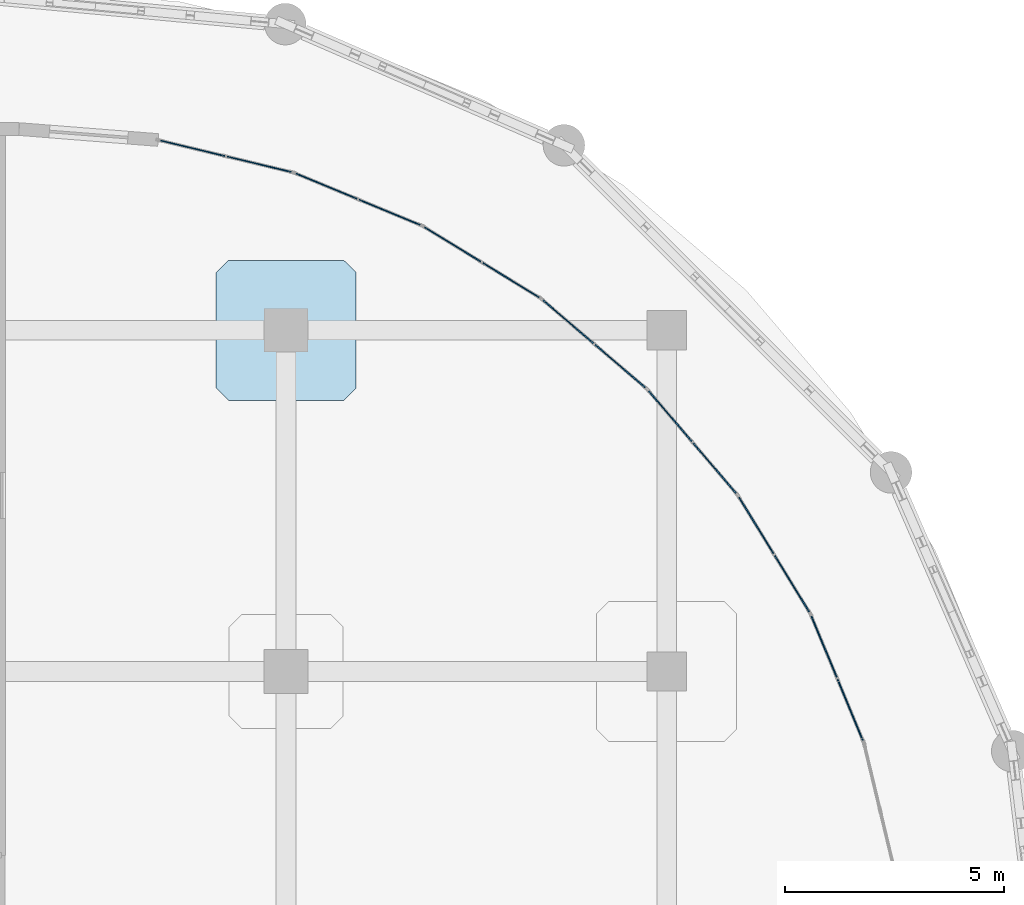
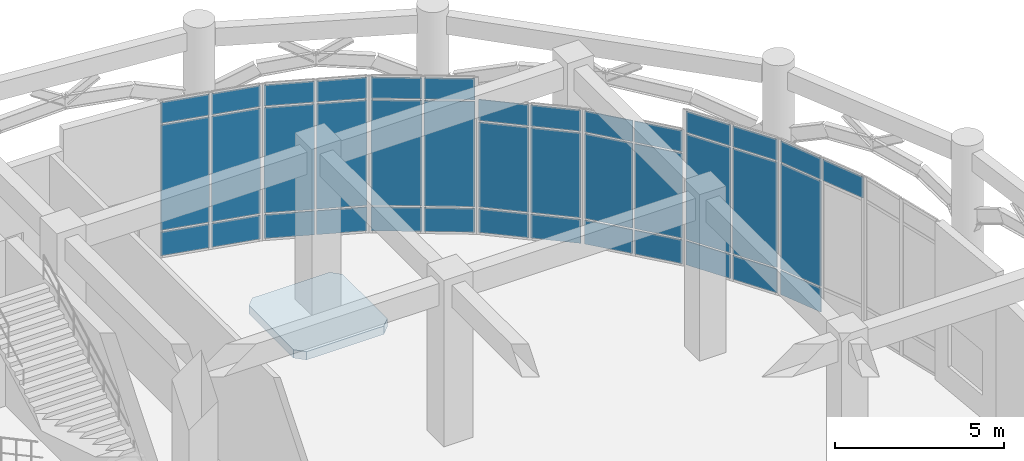
# One storey, part 59 of 82: 40 plates, 1 slab, 7 elements without a shape of their own.
"""IFC4 building model written with IfcOpenShell, lengths in metres."""

from ifc_helpers import new_model, si_unit, derived_unit, direction, frame, origin, origin_2d, place, context, subcontext, project, spatial, polyline, rectangle, outline, extrude, material, layer, layer_set, type_object, element, aggregate, save


model = new_model("IFC4")

# Units and contexts
model_context = context("Model", 3, precision=1e-05, world=origin(), true_north=direction((0.0, 1.0)))
body_context = subcontext(model_context, "Body", "Model", "MODEL_VIEW")
ifc_project = project(units=[si_unit("LENGTHUNIT", "METRE"), si_unit("AREAUNIT", "SQUARE_METRE"), si_unit("VOLUMEUNIT", "CUBIC_METRE"), si_unit("PLANEANGLEUNIT", "RADIAN"), si_unit("MASSUNIT", "GRAM", prefix="KILO"), derived_unit("THERMALTRANSMITTANCEUNIT", [(si_unit("MASSUNIT", "GRAM", prefix="KILO"), 1), (si_unit("TIMEUNIT", "SECOND"), -3), (si_unit("THERMODYNAMICTEMPERATUREUNIT", "KELVIN"), -1)])], contexts=[model_context])

# Site, building, storey
site_placement = place(None, origin())
site = spatial("IfcSite", under=ifc_project, at=site_placement, CompositionType="ELEMENT")
building_placement = place(site_placement, origin())
building = spatial("IfcBuilding", under=site, at=building_placement, Name="Qinzheling Arcade Emporium", CompositionType="ELEMENT")
storey_placement = place(building_placement, origin())
storey = spatial("IfcBuildingStorey", under=building, at=storey_placement, Name="L01", CompositionType="ELEMENT", Elevation=0.0)

# Slab
ifc_material_1 = material(Name="Concrete C40", Category="concrete")
ifc_layer_1 = layer(ifc_material_1, 0.300048828125, Name="Concrete C40", Category="concrete")
ifc_layer_set_1 = layer_set([ifc_layer_1], Name="Concrete C40")
slab_type = type_object("IfcSlabType", Name="Column Head Drop Panel 3200x3200x300 C40", PredefinedType="USERDEFINED", material=ifc_layer_set_1)
slab_placement = place(storey_placement, frame((0.0, 0.0, -0.639892578125)))
element("IfcSlab", 1, at=slab_placement, inside=storey, type_object=slab_type, Name="Column Drop Panel DP-L01-16-N", ObjectType="DROP_PANEL", PredefinedType="USERDEFINED", context=body_context, shape_type="SweptSolid", body=[
    extrude(outline(polyline([(129.179931640625, 105.199951171875), (131.820068359375, 105.199951171875), (132.10009765625, 105.47998046875), (132.10009765625, 108.1201171875), (131.820068359375, 108.39990234375), (129.179931640625, 108.39990234375), (128.89990234375, 108.1201171875), (128.89990234375, 105.47998046875), (129.179931640625, 105.199951171875)])), origin(), (0.0, 0.0, 1.0), 0.2998046875),
])

# Curtain wall, plates
ifc_material_2 = material(Name="Anodised aluminium and solar-control double glazing", Category="aluminium")
ifc_layer_2 = layer(ifc_material_2, 0.159912109375, Name="Anodised aluminium and solar-control double glazing", Category="aluminium")
ifc_layer_set_2 = layer_set([ifc_layer_2], Name="Anodised aluminium and solar-control double glazing")
curtain_wall_type = type_object("IfcCurtainWallType", Name="Curved Ribbon Sales Curtain Wall", PredefinedType="NOTDEFINED", material=ifc_layer_set_2)
curtain_wall_1_placement = place(storey_placement, origin())
curtain_wall_1 = element("IfcCurtainWall", 2, at=curtain_wall_1_placement, inside=storey, type_object=curtain_wall_type, Name="Curtain Wall CW-L01-035", PredefinedType="NOTDEFINED")
ifc_material_3 = material(Name="Laminated solar-control double glazing", Category="glass")
ifc_layer_3 = layer(ifc_material_3, 0.02490234375, Name="Laminated solar-control double glazing", Category="glass")
ifc_layer_set_3 = layer_set([ifc_layer_3], Name="Laminated solar-control double glazing")
plate_type_1 = type_object("IfcPlateType", Name="Low-E Double Glazed Curtain Panel 25mm", PredefinedType="CURTAIN_PANEL", material=ifc_layer_set_3)
plate_1_placement = place(storey_placement, frame((128.36474609375, 110.96044921875, 0.06005859375), z_axis=(0.0, 0.0, 1.0), x_axis=(0.972335980843, -0.233586687032, 0.0)))
plate_1 = element("IfcPlate", 3, at=plate_1_placement, type_object=plate_type_1, Name="CW02 panel 1.1", PredefinedType="CURTAIN_PANEL", context=body_context, shape_type="SweptSolid", body=[
    extrude(rectangle(XDim=1.50244140625, YDim=0.02490234375, at=origin_2d()), origin(), (0.0, 0.0, 1.0), 0.860107421875),
])
plate_2_placement = place(storey_placement, frame((128.36474609375, 110.96044921875, 0.97998046875), z_axis=(0.0, 0.0, 1.0), x_axis=(0.972335980843, -0.233586687032, 0.0)))
plate_2 = element("IfcPlate", 4, at=plate_2_placement, type_object=plate_type_1, Name="CW02 panel 1.2", PredefinedType="CURTAIN_PANEL", context=body_context, shape_type="SweptSolid", body=[
    extrude(rectangle(XDim=1.50244140625, YDim=0.02490234375, at=origin_2d()), origin(), (0.0, 0.0, 1.0), 3.800048828125),
])
plate_3_placement = place(storey_placement, frame((128.36474609375, 110.96044921875, 4.83984375), z_axis=(0.0, 0.0, 1.0), x_axis=(0.972335980843, -0.233586687032, 0.0)))
plate_3 = element("IfcPlate", 5, at=plate_3_placement, type_object=plate_type_1, Name="CW02 panel 1.3", PredefinedType="CURTAIN_PANEL", context=body_context, shape_type="SweptSolid", body=[
    extrude(rectangle(XDim=1.50244140625, YDim=0.02490234375, at=origin_2d()), origin(), (0.0, 0.0, 1.0), 0.760009765625),
])
plate_4_placement = place(storey_placement, frame((129.88427734375, 110.595458984375, 0.06005859375), z_axis=(0.0, 0.0, 1.0), x_axis=(0.972335980843, -0.233586687032, 0.0)))
plate_4 = element("IfcPlate", 6, at=plate_4_placement, type_object=plate_type_1, Name="CW02 panel 2.1", PredefinedType="CURTAIN_PANEL", context=body_context, shape_type="SweptSolid", body=[
    extrude(rectangle(XDim=1.50244140625, YDim=0.02490234375, at=origin_2d()), origin(), (0.0, 0.0, 1.0), 0.860107421875),
])
plate_5_placement = place(storey_placement, frame((129.88427734375, 110.595458984375, 0.97998046875), z_axis=(0.0, 0.0, 1.0), x_axis=(0.972335980843, -0.233586687032, 0.0)))
plate_5 = element("IfcPlate", 7, at=plate_5_placement, type_object=plate_type_1, Name="CW02 panel 2.2", PredefinedType="CURTAIN_PANEL", context=body_context, shape_type="SweptSolid", body=[
    extrude(rectangle(XDim=1.50244140625, YDim=0.02490234375, at=origin_2d()), origin(), (0.0, 0.0, 1.0), 3.800048828125),
])
plate_6_placement = place(storey_placement, frame((129.88427734375, 110.595458984375, 4.83984375), z_axis=(0.0, 0.0, 1.0), x_axis=(0.972335980843, -0.233586687032, 0.0)))
plate_6 = element("IfcPlate", 8, at=plate_6_placement, type_object=plate_type_1, Name="CW02 panel 2.3", PredefinedType="CURTAIN_PANEL", context=body_context, shape_type="SweptSolid", body=[
    extrude(rectangle(XDim=1.50244140625, YDim=0.02490234375, at=origin_2d()), origin(), (0.0, 0.0, 1.0), 0.760009765625),
])
aggregate(curtain_wall_1, [plate_1, plate_2, plate_3, plate_4, plate_5, plate_6])

curtain_wall_2_placement = place(storey_placement, origin())
curtain_wall_2 = element("IfcCurtainWall", 9, at=curtain_wall_2_placement, inside=storey, type_object=curtain_wall_type, Name="Curtain Wall CW-L01-036", PredefinedType="NOTDEFINED")
ifc_layer_4 = layer(ifc_material_3, 0.02587890625, Name="Laminated solar-control double glazing", Category="glass")
ifc_layer_set_4 = layer_set([ifc_layer_4], Name="Laminated solar-control double glazing")
plate_type_2 = type_object("IfcPlateType", Name="Low-E Double Glazed Curtain Panel 26mm", PredefinedType="CURTAIN_PANEL", material=ifc_layer_set_4)
plate_7_placement = place(storey_placement, frame((131.422607421875, 110.095458984375, 0.06005859375), z_axis=(0.0, 0.0, 1.0), x_axis=(0.923882919212, -0.382675256043, 0.0)))
plate_7 = element("IfcPlate", 10, at=plate_7_placement, type_object=plate_type_2, Name="CW02 panel 1.1", PredefinedType="CURTAIN_PANEL", context=body_context, shape_type="SweptSolid", body=[
    extrude(rectangle(XDim=1.502685546875, YDim=0.02587890625, at=origin_2d()), origin(), (0.0, 0.0, 1.0), 0.860107421875),
])
plate_8_placement = place(storey_placement, frame((131.422607421875, 110.095458984375, 0.97998046875), z_axis=(0.0, 0.0, 1.0), x_axis=(0.923882919212, -0.382675256043, 0.0)))
plate_8 = element("IfcPlate", 11, at=plate_8_placement, type_object=plate_type_2, Name="CW02 panel 1.2", PredefinedType="CURTAIN_PANEL", context=body_context, shape_type="SweptSolid", body=[
    extrude(rectangle(XDim=1.502685546875, YDim=0.02587890625, at=origin_2d()), origin(), (0.0, 0.0, 1.0), 3.800048828125),
])
plate_9_placement = place(storey_placement, frame((131.422607421875, 110.095458984375, 4.83984375), z_axis=(0.0, 0.0, 1.0), x_axis=(0.923882919212, -0.382675256043, 0.0)))
plate_9 = element("IfcPlate", 12, at=plate_9_placement, type_object=plate_type_2, Name="CW02 panel 1.3", PredefinedType="CURTAIN_PANEL", context=body_context, shape_type="SweptSolid", body=[
    extrude(rectangle(XDim=1.502685546875, YDim=0.02587890625, at=origin_2d()), origin(), (0.0, 0.0, 1.0), 0.760009765625),
])
plate_10_placement = place(storey_placement, frame((132.866455078125, 109.49755859375, 0.06005859375), z_axis=(0.0, 0.0, 1.0), x_axis=(0.923882919212, -0.382675256043, 0.0)))
plate_10 = element("IfcPlate", 13, at=plate_10_placement, type_object=plate_type_2, Name="CW02 panel 2.1", PredefinedType="CURTAIN_PANEL", context=body_context, shape_type="SweptSolid", body=[
    extrude(rectangle(XDim=1.502685546875, YDim=0.02587890625, at=origin_2d()), origin(), (0.0, 0.0, 1.0), 0.860107421875),
])
plate_11_placement = place(storey_placement, frame((132.866455078125, 109.49755859375, 0.97998046875), z_axis=(0.0, 0.0, 1.0), x_axis=(0.923882919212, -0.382675256043, 0.0)))
plate_11 = element("IfcPlate", 14, at=plate_11_placement, type_object=plate_type_2, Name="CW02 panel 2.2", PredefinedType="CURTAIN_PANEL", context=body_context, shape_type="SweptSolid", body=[
    extrude(rectangle(XDim=1.502685546875, YDim=0.02587890625, at=origin_2d()), origin(), (0.0, 0.0, 1.0), 3.800048828125),
])
plate_12_placement = place(storey_placement, frame((132.866455078125, 109.49755859375, 4.83984375), z_axis=(0.0, 0.0, 1.0), x_axis=(0.923882919212, -0.382675256043, 0.0)))
plate_12 = element("IfcPlate", 15, at=plate_12_placement, type_object=plate_type_2, Name="CW02 panel 2.3", PredefinedType="CURTAIN_PANEL", context=body_context, shape_type="SweptSolid", body=[
    extrude(rectangle(XDim=1.502685546875, YDim=0.02587890625, at=origin_2d()), origin(), (0.0, 0.0, 1.0), 0.760009765625),
])
aggregate(curtain_wall_2, [plate_7, plate_8, plate_9, plate_10, plate_11, plate_12])

curtain_wall_3_placement = place(storey_placement, origin())
curtain_wall_3 = element("IfcCurtainWall", 16, at=curtain_wall_3_placement, inside=storey, type_object=curtain_wall_type, Name="Curtain Wall CW-L01-037", PredefinedType="NOTDEFINED")
ifc_layer_5 = layer(ifc_material_3, 0.027099609375, Name="Laminated solar-control double glazing", Category="glass")
ifc_layer_set_5 = layer_set([ifc_layer_5], Name="Laminated solar-control double glazing")
plate_type_3 = type_object("IfcPlateType", Name="Low-E Double Glazed Curtain Panel 27mm", PredefinedType="CURTAIN_PANEL", material=ifc_layer_set_5)
plate_13_placement = place(storey_placement, frame((134.307861328125, 108.76318359375, 0.06005859375), z_axis=(0.0, 0.0, 1.0), x_axis=(0.852691482854, -0.522414811302, 0.0)))
plate_13 = element("IfcPlate", 17, at=plate_13_placement, type_object=plate_type_3, Name="CW02 panel 1.1", PredefinedType="CURTAIN_PANEL", context=body_context, shape_type="SweptSolid", body=[
    extrude(rectangle(XDim=1.502685546875, YDim=0.027099609375, at=origin_2d()), origin(), (0.0, 0.0, 1.0), 0.860107421875),
])
plate_14_placement = place(storey_placement, frame((134.307861328125, 108.76318359375, 0.97998046875), z_axis=(0.0, 0.0, 1.0), x_axis=(0.852691482854, -0.522414811302, 0.0)))
plate_14 = element("IfcPlate", 18, at=plate_14_placement, type_object=plate_type_3, Name="CW02 panel 1.2", PredefinedType="CURTAIN_PANEL", context=body_context, shape_type="SweptSolid", body=[
    extrude(rectangle(XDim=1.502685546875, YDim=0.027099609375, at=origin_2d()), origin(), (0.0, 0.0, 1.0), 3.800048828125),
])
plate_15_placement = place(storey_placement, frame((134.307861328125, 108.76318359375, 4.83984375), z_axis=(0.0, 0.0, 1.0), x_axis=(0.852691482854, -0.522414811302, 0.0)))
plate_15 = element("IfcPlate", 19, at=plate_15_placement, type_object=plate_type_3, Name="CW02 panel 1.3", PredefinedType="CURTAIN_PANEL", context=body_context, shape_type="SweptSolid", body=[
    extrude(rectangle(XDim=1.502685546875, YDim=0.027099609375, at=origin_2d()), origin(), (0.0, 0.0, 1.0), 0.760009765625),
])
plate_16_placement = place(storey_placement, frame((135.64013671875, 107.94677734375, 0.06005859375), z_axis=(0.0, 0.0, 1.0), x_axis=(0.852691482854, -0.522414811302, 0.0)))
plate_16 = element("IfcPlate", 20, at=plate_16_placement, type_object=plate_type_3, Name="CW02 panel 2.1", PredefinedType="CURTAIN_PANEL", context=body_context, shape_type="SweptSolid", body=[
    extrude(rectangle(XDim=1.502685546875, YDim=0.027099609375, at=origin_2d()), origin(), (0.0, 0.0, 1.0), 0.860107421875),
])
plate_17_placement = place(storey_placement, frame((135.64013671875, 107.94677734375, 0.97998046875), z_axis=(0.0, 0.0, 1.0), x_axis=(0.852691482854, -0.522414811302, 0.0)))
plate_17 = element("IfcPlate", 21, at=plate_17_placement, type_object=plate_type_3, Name="CW02 panel 2.2", PredefinedType="CURTAIN_PANEL", context=body_context, shape_type="SweptSolid", body=[
    extrude(rectangle(XDim=1.502685546875, YDim=0.027099609375, at=origin_2d()), origin(), (0.0, 0.0, 1.0), 3.800048828125),
])
plate_18_placement = place(storey_placement, frame((135.64013671875, 107.94677734375, 4.83984375), z_axis=(0.0, 0.0, 1.0), x_axis=(0.852691482854, -0.522414811302, 0.0)))
plate_18 = element("IfcPlate", 22, at=plate_18_placement, type_object=plate_type_3, Name="CW02 panel 2.3", PredefinedType="CURTAIN_PANEL", context=body_context, shape_type="SweptSolid", body=[
    extrude(rectangle(XDim=1.502685546875, YDim=0.027099609375, at=origin_2d()), origin(), (0.0, 0.0, 1.0), 0.760009765625),
])
aggregate(curtain_wall_3, [plate_13, plate_14, plate_15, plate_16, plate_17, plate_18])

curtain_wall_4_placement = place(storey_placement, origin())
curtain_wall_4 = element("IfcCurtainWall", 23, at=curtain_wall_4_placement, inside=storey, type_object=curtain_wall_type, Name="Curtain Wall CW-L01-038", PredefinedType="NOTDEFINED")
ifc_layer_6 = layer(ifc_material_3, 0.028076171875, Name="Laminated solar-control double glazing", Category="glass")
ifc_layer_set_6 = layer_set([ifc_layer_6], Name="Laminated solar-control double glazing")
plate_type_4 = type_object("IfcPlateType", Name="Low-E Double Glazed Curtain Panel 28mm", PredefinedType="CURTAIN_PANEL", material=ifc_layer_set_6)
plate_19_placement = place(storey_placement, frame((136.948974609375, 106.99609375, 0.06005859375), z_axis=(0.0, 0.0, 1.0), x_axis=(0.76034137818, -0.64952366287, 0.0)))
plate_19 = element("IfcPlate", 24, at=plate_19_placement, type_object=plate_type_4, Name="CW02 panel 1.1", PredefinedType="CURTAIN_PANEL", context=body_context, shape_type="SweptSolid", body=[
    extrude(rectangle(XDim=1.502685546875, YDim=0.028076171875, at=origin_2d()), origin(), (0.0, 0.0, 1.0), 0.860107421875),
])
plate_20_placement = place(storey_placement, frame((136.948974609375, 106.99609375, 0.97998046875), z_axis=(0.0, 0.0, 1.0), x_axis=(0.76034137818, -0.64952366287, 0.0)))
plate_20 = element("IfcPlate", 25, at=plate_20_placement, type_object=plate_type_4, Name="CW02 panel 1.2", PredefinedType="CURTAIN_PANEL", context=body_context, shape_type="SweptSolid", body=[
    extrude(rectangle(XDim=1.502685546875, YDim=0.028076171875, at=origin_2d()), origin(), (0.0, 0.0, 1.0), 3.06005859375),
])
plate_21_placement = place(storey_placement, frame((136.948974609375, 106.99609375, 4.10009765625), z_axis=(0.0, 0.0, 1.0), x_axis=(0.76034137818, -0.64952366287, 0.0)))
plate_21 = element("IfcPlate", 26, at=plate_21_placement, type_object=plate_type_4, Name="CW02 panel 1.3", PredefinedType="CURTAIN_PANEL", context=body_context, shape_type="SweptSolid", body=[
    extrude(rectangle(XDim=1.502685546875, YDim=0.028076171875, at=origin_2d()), origin(), (0.0, 0.0, 1.0), 0.760009765625),
])
plate_22_placement = place(storey_placement, frame((138.13720703125, 105.98095703125, 0.06005859375), z_axis=(0.0, 0.0, 1.0), x_axis=(0.76034137818, -0.64952366287, 0.0)))
plate_22 = element("IfcPlate", 27, at=plate_22_placement, type_object=plate_type_4, Name="CW02 panel 2.1", PredefinedType="CURTAIN_PANEL", context=body_context, shape_type="SweptSolid", body=[
    extrude(rectangle(XDim=1.502685546875, YDim=0.028076171875, at=origin_2d()), origin(), (0.0, 0.0, 1.0), 0.860107421875),
])
plate_23_placement = place(storey_placement, frame((138.13720703125, 105.98095703125, 0.97998046875), z_axis=(0.0, 0.0, 1.0), x_axis=(0.76034137818, -0.64952366287, 0.0)))
plate_23 = element("IfcPlate", 28, at=plate_23_placement, type_object=plate_type_4, Name="CW02 panel 2.2", PredefinedType="CURTAIN_PANEL", context=body_context, shape_type="SweptSolid", body=[
    extrude(rectangle(XDim=1.502685546875, YDim=0.028076171875, at=origin_2d()), origin(), (0.0, 0.0, 1.0), 3.06005859375),
])
plate_24_placement = place(storey_placement, frame((138.13720703125, 105.98095703125, 4.10009765625), z_axis=(0.0, 0.0, 1.0), x_axis=(0.76034137818, -0.64952366287, 0.0)))
plate_24 = element("IfcPlate", 29, at=plate_24_placement, type_object=plate_type_4, Name="CW02 panel 2.3", PredefinedType="CURTAIN_PANEL", context=body_context, shape_type="SweptSolid", body=[
    extrude(rectangle(XDim=1.502685546875, YDim=0.028076171875, at=origin_2d()), origin(), (0.0, 0.0, 1.0), 0.760009765625),
])
aggregate(curtain_wall_4, [plate_19, plate_20, plate_21, plate_22, plate_23, plate_24])

curtain_wall_5_placement = place(storey_placement, origin())
curtain_wall_5 = element("IfcCurtainWall", 30, at=curtain_wall_5_placement, inside=storey, type_object=curtain_wall_type, Name="Curtain Wall CW-L01-039", PredefinedType="NOTDEFINED")
ifc_layer_7 = layer(ifc_material_3, 0.029052734375, Name="Laminated solar-control double glazing", Category="glass")
ifc_layer_set_7 = layer_set([ifc_layer_7], Name="Laminated solar-control double glazing")
plate_type_5 = type_object("IfcPlateType", Name="Low-E Double Glazed Curtain Panel 29mm", PredefinedType="CURTAIN_PANEL", material=ifc_layer_set_7)
plate_25_placement = place(storey_placement, frame((139.281005859375, 104.837158203125, 0.06005859375), z_axis=(0.0, 0.0, 1.0), x_axis=(0.64952366287, -0.76034137818, 0.0)))
plate_25 = element("IfcPlate", 31, at=plate_25_placement, type_object=plate_type_5, Name="CW02 panel 1.1", PredefinedType="CURTAIN_PANEL", context=body_context, shape_type="SweptSolid", body=[
    extrude(rectangle(XDim=1.502685546875, YDim=0.029052734375, at=origin_2d()), origin(), (0.0, 0.0, 1.0), 0.860107421875),
])
plate_26_placement = place(storey_placement, frame((139.281005859375, 104.837158203125, 0.97998046875), z_axis=(0.0, 0.0, 1.0), x_axis=(0.64952366287, -0.76034137818, 0.0)))
plate_26 = element("IfcPlate", 32, at=plate_26_placement, type_object=plate_type_5, Name="CW02 panel 1.2", PredefinedType="CURTAIN_PANEL", context=body_context, shape_type="SweptSolid", body=[
    extrude(rectangle(XDim=1.502685546875, YDim=0.029052734375, at=origin_2d()), origin(), (0.0, 0.0, 1.0), 3.06005859375),
])
plate_27_placement = place(storey_placement, frame((139.281005859375, 104.837158203125, 4.10009765625), z_axis=(0.0, 0.0, 1.0), x_axis=(0.64952366287, -0.76034137818, 0.0)))
plate_27 = element("IfcPlate", 33, at=plate_27_placement, type_object=plate_type_5, Name="CW02 panel 1.3", PredefinedType="CURTAIN_PANEL", context=body_context, shape_type="SweptSolid", body=[
    extrude(rectangle(XDim=1.502685546875, YDim=0.029052734375, at=origin_2d()), origin(), (0.0, 0.0, 1.0), 0.760009765625),
])
plate_28_placement = place(storey_placement, frame((140.2958984375, 103.64892578125, 0.06005859375), z_axis=(0.0, 0.0, 1.0), x_axis=(0.64952366287, -0.76034137818, 0.0)))
plate_28 = element("IfcPlate", 34, at=plate_28_placement, type_object=plate_type_5, Name="CW02 panel 2.1", PredefinedType="CURTAIN_PANEL", context=body_context, shape_type="SweptSolid", body=[
    extrude(rectangle(XDim=1.502685546875, YDim=0.029052734375, at=origin_2d()), origin(), (0.0, 0.0, 1.0), 0.860107421875),
])
plate_29_placement = place(storey_placement, frame((140.2958984375, 103.64892578125, 0.97998046875), z_axis=(0.0, 0.0, 1.0), x_axis=(0.64952366287, -0.76034137818, 0.0)))
plate_29 = element("IfcPlate", 35, at=plate_29_placement, type_object=plate_type_5, Name="CW02 panel 2.2", PredefinedType="CURTAIN_PANEL", context=body_context, shape_type="SweptSolid", body=[
    extrude(rectangle(XDim=1.502685546875, YDim=0.029052734375, at=origin_2d()), origin(), (0.0, 0.0, 1.0), 3.06005859375),
])
plate_30_placement = place(storey_placement, frame((140.2958984375, 103.64892578125, 4.10009765625), z_axis=(0.0, 0.0, 1.0), x_axis=(0.64952366287, -0.76034137818, 0.0)))
plate_30 = element("IfcPlate", 36, at=plate_30_placement, type_object=plate_type_5, Name="CW02 panel 2.3", PredefinedType="CURTAIN_PANEL", context=body_context, shape_type="SweptSolid", body=[
    extrude(rectangle(XDim=1.502685546875, YDim=0.029052734375, at=origin_2d()), origin(), (0.0, 0.0, 1.0), 0.760009765625),
])
aggregate(curtain_wall_5, [plate_25, plate_26, plate_27, plate_28, plate_29, plate_30])

curtain_wall_6_placement = place(storey_placement, origin())
curtain_wall_6 = element("IfcCurtainWall", 37, at=curtain_wall_6_placement, inside=storey, type_object=curtain_wall_type, Name="Curtain Wall CW-L01-040", PredefinedType="NOTDEFINED")
ifc_layer_8 = layer(ifc_material_3, 0.030029296875, Name="Laminated solar-control double glazing", Category="glass")
ifc_layer_set_8 = layer_set([ifc_layer_8], Name="Laminated solar-control double glazing")
plate_type_6 = type_object("IfcPlateType", Name="Low-E Double Glazed Curtain Panel 30mm", PredefinedType="CURTAIN_PANEL", material=ifc_layer_set_8)
plate_31_placement = place(storey_placement, frame((141.246826171875, 102.340087890625, 0.06005859375), z_axis=(0.0, 0.0, 1.0), x_axis=(0.522414811302, -0.852691482854, 0.0)))
plate_31 = element("IfcPlate", 38, at=plate_31_placement, type_object=plate_type_6, Name="CW02 panel 1.1", PredefinedType="CURTAIN_PANEL", context=body_context, shape_type="SweptSolid", body=[
    extrude(rectangle(XDim=1.502685546875, YDim=0.030029296875, at=origin_2d()), origin(), (0.0, 0.0, 1.0), 0.860107421875),
])
plate_32_placement = place(storey_placement, frame((141.246826171875, 102.340087890625, 0.97998046875), z_axis=(0.0, 0.0, 1.0), x_axis=(0.522414811302, -0.852691482854, 0.0)))
plate_32 = element("IfcPlate", 39, at=plate_32_placement, type_object=plate_type_6, Name="CW02 panel 1.2", PredefinedType="CURTAIN_PANEL", context=body_context, shape_type="SweptSolid", body=[
    extrude(rectangle(XDim=1.502685546875, YDim=0.030029296875, at=origin_2d()), origin(), (0.0, 0.0, 1.0), 3.800048828125),
])
plate_33_placement = place(storey_placement, frame((141.246826171875, 102.340087890625, 4.83984375), z_axis=(0.0, 0.0, 1.0), x_axis=(0.522414811302, -0.852691482854, 0.0)))
plate_33 = element("IfcPlate", 40, at=plate_33_placement, type_object=plate_type_6, Name="CW02 panel 1.3", PredefinedType="CURTAIN_PANEL", context=body_context, shape_type="SweptSolid", body=[
    extrude(rectangle(XDim=1.502685546875, YDim=0.030029296875, at=origin_2d()), origin(), (0.0, 0.0, 1.0), 0.760009765625),
])
plate_34_placement = place(storey_placement, frame((142.063232421875, 101.0078125, 0.06005859375), z_axis=(0.0, 0.0, 1.0), x_axis=(0.522414811302, -0.852691482854, 0.0)))
plate_34 = element("IfcPlate", 41, at=plate_34_placement, type_object=plate_type_6, Name="CW02 panel 2.1", PredefinedType="CURTAIN_PANEL", context=body_context, shape_type="SweptSolid", body=[
    extrude(rectangle(XDim=1.502685546875, YDim=0.030029296875, at=origin_2d()), origin(), (0.0, 0.0, 1.0), 0.860107421875),
])
plate_35_placement = place(storey_placement, frame((142.063232421875, 101.0078125, 0.97998046875), z_axis=(0.0, 0.0, 1.0), x_axis=(0.522414811302, -0.852691482854, 0.0)))
plate_35 = element("IfcPlate", 42, at=plate_35_placement, type_object=plate_type_6, Name="CW02 panel 2.2", PredefinedType="CURTAIN_PANEL", context=body_context, shape_type="SweptSolid", body=[
    extrude(rectangle(XDim=1.502685546875, YDim=0.030029296875, at=origin_2d()), origin(), (0.0, 0.0, 1.0), 3.800048828125),
])
plate_36_placement = place(storey_placement, frame((142.063232421875, 101.0078125, 4.83984375), z_axis=(0.0, 0.0, 1.0), x_axis=(0.522414811302, -0.852691482854, 0.0)))
plate_36 = element("IfcPlate", 43, at=plate_36_placement, type_object=plate_type_6, Name="CW02 panel 2.3", PredefinedType="CURTAIN_PANEL", context=body_context, shape_type="SweptSolid", body=[
    extrude(rectangle(XDim=1.502685546875, YDim=0.030029296875, at=origin_2d()), origin(), (0.0, 0.0, 1.0), 0.760009765625),
])
aggregate(curtain_wall_6, [plate_31, plate_32, plate_33, plate_34, plate_35, plate_36])

curtain_wall_7_placement = place(storey_placement, origin())
curtain_wall_7 = element("IfcCurtainWall", 44, at=curtain_wall_7_placement, inside=storey, type_object=curtain_wall_type, Name="Curtain Wall CW-L01-041", PredefinedType="NOTDEFINED")
ifc_layer_9 = layer(ifc_material_3, 0.031005859375, Name="Laminated solar-control double glazing", Category="glass")
ifc_layer_set_9 = layer_set([ifc_layer_9], Name="Laminated solar-control double glazing")
plate_type_7 = type_object("IfcPlateType", Name="Low-E Double Glazed Curtain Panel 31mm", PredefinedType="CURTAIN_PANEL", material=ifc_layer_set_9)
plate_37_placement = place(storey_placement, frame((142.797607421875, 99.56640625, 0.06005859375), z_axis=(0.0, 0.0, 1.0), x_axis=(0.382675256043, -0.923882919212, 0.0)))
plate_37 = element("IfcPlate", 45, at=plate_37_placement, type_object=plate_type_7, Name="CW02 panel 1.1", PredefinedType="CURTAIN_PANEL", context=body_context, shape_type="SweptSolid", body=[
    extrude(rectangle(XDim=1.502685546875, YDim=0.031005859375, at=origin_2d()), origin(), (0.0, 0.0, 1.0), 0.860107421875),
])
plate_38_placement = place(storey_placement, frame((142.797607421875, 99.56640625, 0.97998046875), z_axis=(0.0, 0.0, 1.0), x_axis=(0.382675256043, -0.923882919212, 0.0)))
plate_38 = element("IfcPlate", 46, at=plate_38_placement, type_object=plate_type_7, Name="CW02 panel 1.2", PredefinedType="CURTAIN_PANEL", context=body_context, shape_type="SweptSolid", body=[
    extrude(rectangle(XDim=1.502685546875, YDim=0.031005859375, at=origin_2d()), origin(), (0.0, 0.0, 1.0), 3.800048828125),
])
plate_39_placement = place(storey_placement, frame((142.797607421875, 99.56640625, 4.83984375), z_axis=(0.0, 0.0, 1.0), x_axis=(0.382675256043, -0.923882919212, 0.0)))
plate_39 = element("IfcPlate", 47, at=plate_39_placement, type_object=plate_type_7, Name="CW02 panel 1.3", PredefinedType="CURTAIN_PANEL", context=body_context, shape_type="SweptSolid", body=[
    extrude(rectangle(XDim=1.502685546875, YDim=0.031005859375, at=origin_2d()), origin(), (0.0, 0.0, 1.0), 0.760009765625),
])
plate_40_placement = place(storey_placement, frame((143.3955078125, 98.12255859375, 4.83984375), z_axis=(0.0, 0.0, 1.0), x_axis=(0.382675256043, -0.923882919212, 0.0)))
plate_40 = element("IfcPlate", 48, at=plate_40_placement, type_object=plate_type_7, Name="CW02 panel 2.3", PredefinedType="CURTAIN_PANEL", context=body_context, shape_type="SweptSolid", body=[
    extrude(rectangle(XDim=1.502685546875, YDim=0.031005859375, at=origin_2d()), origin(), (0.0, 0.0, 1.0), 0.760009765625),
])
aggregate(curtain_wall_7, [plate_37, plate_38, plate_39, plate_40])

save(model, "model.ifc")
